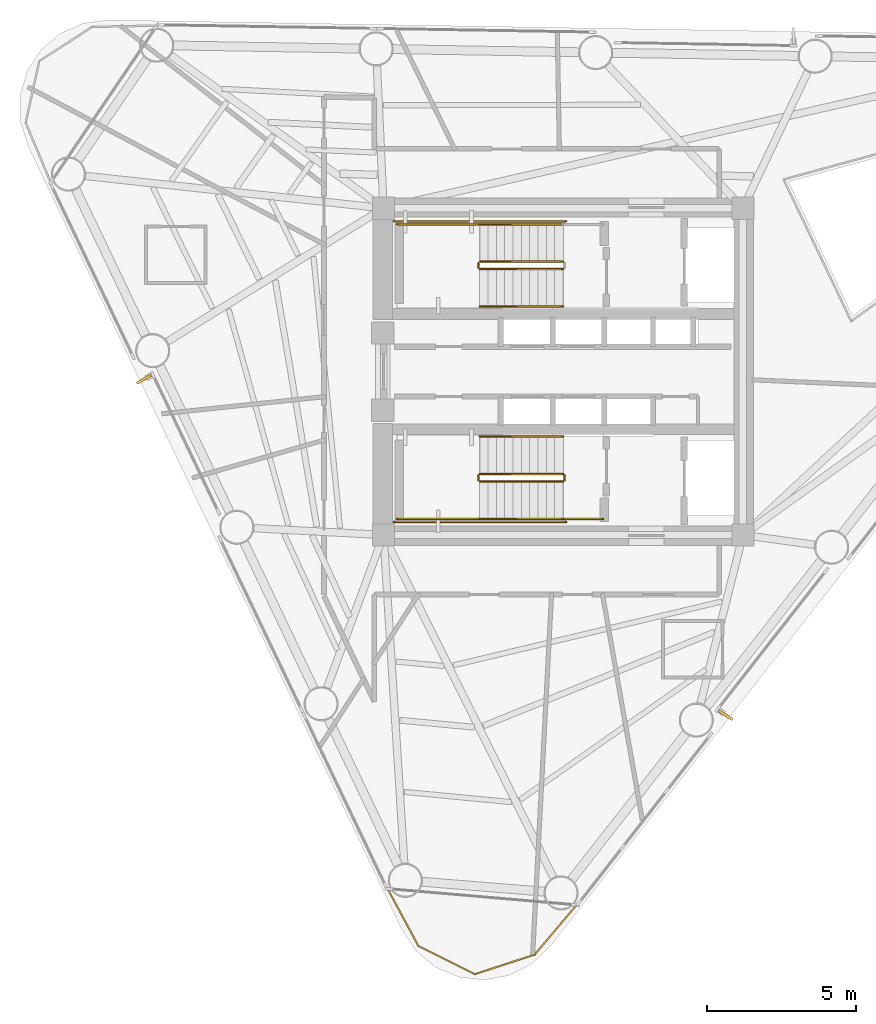
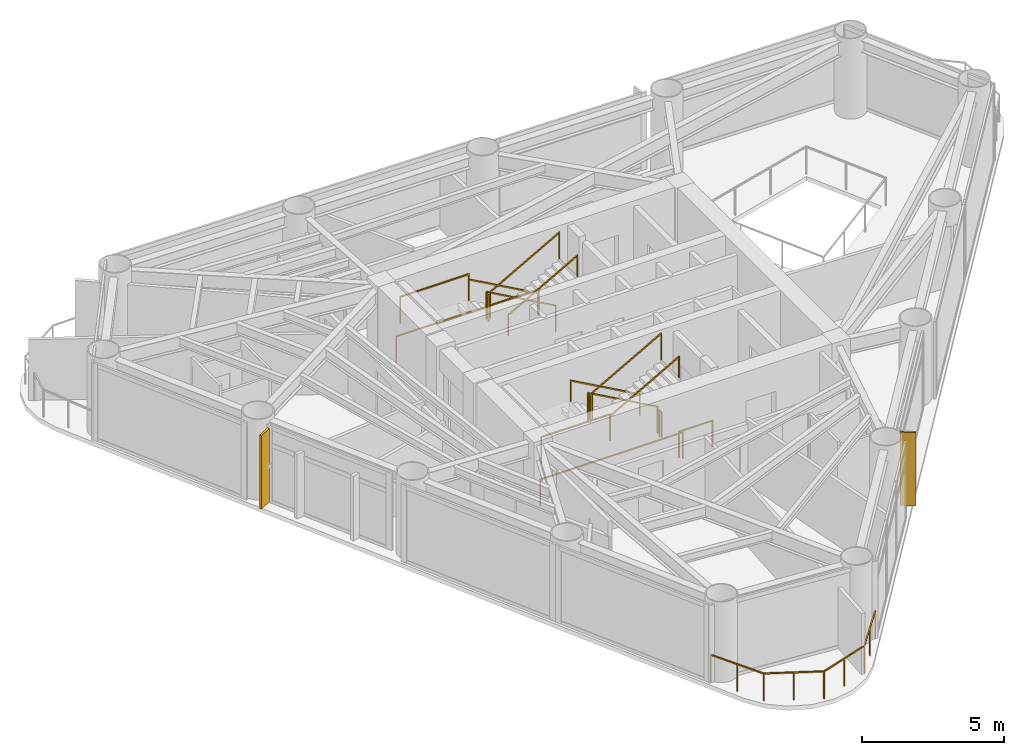
# One storey, part 7 of 9: 17 railings, 2 shading devices.
"""IFC4 building model written with IfcOpenShell, lengths in metres."""

from ifc_helpers import new_model, si_unit, direction, frame, origin, origin_2d, place, context, subcontext, project, spatial, rectangle, extrude, source, transform, mapped, material, material_profile, profile_set, type_object, element, save


model = new_model("IFC4")

# Units and contexts
model_context = context("Model", 3, precision=1e-05, world=origin(), true_north=direction((0.0, 1.0)))
body_context = subcontext(model_context, "Body", "Model", "MODEL_VIEW")
ifc_project = project(units=[si_unit("LENGTHUNIT", "METRE"), si_unit("AREAUNIT", "SQUARE_METRE"), si_unit("VOLUMEUNIT", "CUBIC_METRE"), si_unit("PLANEANGLEUNIT", "RADIAN"), si_unit("MASSUNIT", "GRAM", prefix="KILO")], contexts=[model_context])

# Site, building, storey
site_placement = place(None, origin())
site = spatial("IfcSite", under=ifc_project, at=site_placement, CompositionType="ELEMENT")
building_placement = place(site_placement, origin())
building = spatial("IfcBuilding", under=site, at=building_placement, Name="Yunling Apex Tower", CompositionType="ELEMENT")
storey_placement = place(building_placement, frame((0.0, 0.0, 194.89990234375)))
storey = spatial("IfcBuildingStorey", under=building, at=storey_placement, Name="L47", CompositionType="ELEMENT", Elevation=194.89990234375)

# Railings
ifc_material_1 = material(Name="Bronze anodised aluminium", Category="aluminium")
railing_type_1 = type_object("IfcRailingType", Name="RL-BAL-1200", PredefinedType="BALUSTRADE", material=ifc_material_1)
railing_1_placement = place(storey_placement, frame((0.4462890625, -17.9599609375, 0.0)))
element("IfcRailing", 1, at=railing_1_placement, inside=storey, type_object=railing_type_1, Name="RL-CRNSILL-L47-3", PredefinedType="BALUSTRADE", context=body_context, shape_type="SweptSolid", body=[
    extrude(rectangle(XDim=0.0439453125, YDim=0.0439453125, at=origin_2d()), origin(), (0.0, 0.0, 1.0), 1.199951171875),
    extrude(rectangle(XDim=0.0439453125, YDim=0.0439453125, at=origin_2d()), frame((-1.408447265625, -1.669189453125, 0.0)), (0.0, 0.0, 1.0), 1.199951171875),
    extrude(rectangle(XDim=0.050048828125, YDim=0.050048828125, at=origin_2d()), frame((-0.024658203125, -0.029296875, 1.1748046875), z_axis=(-0.644889304204, -0.764275987666, 0.0), x_axis=(0.764275987666, -0.644889304204, 0.0)), (0.0, 0.0, 1.0), 2.107421875),
    extrude(rectangle(XDim=0.0439453125, YDim=0.0439453125, at=origin_2d()), frame((-0.7041015625, -0.83447265625, 0.0)), (0.0, 0.0, 1.0), 1.14599609375),
    extrude(rectangle(XDim=0.0439453125, YDim=0.0439453125, at=origin_2d()), frame((-3.421875, -2.326416015625, 0.0)), (0.0, 0.0, 1.0), 1.199951171875),
    extrude(rectangle(XDim=0.050048828125, YDim=0.050048828125, at=origin_2d()), frame((-1.44482421875, -1.68115234375, 1.1748046875), z_axis=(-0.950635994022, -0.310308244926, 0.0), x_axis=(0.310308244926, -0.950635994022, 0.0)), (0.0, 0.0, 1.0), 2.041259765625),
    extrude(rectangle(XDim=0.0439453125, YDim=0.0439453125, at=origin_2d()), frame((-2.4150390625, -1.997802734375, 0.0)), (0.0, 0.0, 1.0), 1.14599609375),
    extrude(rectangle(XDim=0.0439453125, YDim=0.0439453125, at=origin_2d()), frame((-5.32275390625, -1.376708984375, 0.0)), (0.0, 0.0, 1.0), 1.199951171875),
    extrude(rectangle(XDim=0.050048828125, YDim=0.050048828125, at=origin_2d()), frame((-3.4560546875, -2.309326171875, 1.1748046875), z_axis=(-0.894565021347, 0.446937828543, 0.0), x_axis=(-0.446937828543, -0.894565021347, 0.0)), (0.0, 0.0, 1.0), 2.04833984375),
    extrude(rectangle(XDim=0.0439453125, YDim=0.0439453125, at=origin_2d()), frame((-4.372314453125, -1.8515625, 0.0)), (0.0, 0.0, 1.0), 1.14599609375),
    extrude(rectangle(XDim=0.0439453125, YDim=0.0439453125, at=origin_2d()), frame((-6.35791015625, 0.545654296875, 0.0)), (0.0, 0.0, 1.0), 1.199951171875),
    extrude(rectangle(XDim=0.050048828125, YDim=0.050048828125, at=origin_2d()), frame((-5.3408203125, -1.343017578125, 1.1748046875), z_axis=(-0.474113159208, 0.880463918775, 0.0), x_axis=(-0.880463918775, -0.474113159208, 0.0)), (0.0, 0.0, 1.0), 2.106689453125),
    extrude(rectangle(XDim=0.0439453125, YDim=0.0439453125, at=origin_2d()), frame((-5.84033203125, -0.41552734375, 0.0)), (0.0, 0.0, 1.0), 1.14599609375),
])
ifc_material_2 = material(Name="Steel Q355B", Category="steel")
railing_type_2 = type_object("IfcRailingType", Name="RL-GRD-1150", PredefinedType="GUARDRAIL", material=ifc_material_2)
railing_2_placement = place(storey_placement, frame((-0.010009765625, 3.699951171875, 0.156982421875)))
element("IfcRailing", 2, at=railing_2_placement, inside=storey, type_object=railing_type_2, Name="L47 ST-1 stair guard 1", PredefinedType="GUARDRAIL", context=body_context, shape_type="SweptSolid", body=[
    extrude(rectangle(XDim=0.0439453125, YDim=0.0439453125, at=origin_2d()), origin(), (0.0, 0.0, 1.0), 1.14990234375),
    extrude(rectangle(XDim=0.0439453125, YDim=0.0439453125, at=origin_2d()), frame((-2.800048828125, 0.0, 1.568115234375)), (0.0, 0.0, 1.0), 1.14990234375),
    extrude(rectangle(XDim=0.050048828125, YDim=0.050048828125, at=origin_2d()), frame((-0.033447265625, 0.0, 1.1435546875), z_axis=(-0.872494340497, 0.0, 0.48862421737), x_axis=(0.0, -1.0, 0.0)), (0.0, 0.0, 1.0), 3.132568359375),
])
railing_3_placement = place(storey_placement, frame((-2.860107421875, 3.64990234375, 1.72509765625)))
element("IfcRailing", 3, at=railing_3_placement, inside=storey, type_object=railing_type_2, Name="L47 ST-1 stair guard 2", PredefinedType="GUARDRAIL", context=body_context, shape_type="SweptSolid", body=[
    extrude(rectangle(XDim=0.0439453125, YDim=0.0439453125, at=origin_2d()), origin(), (0.0, 0.0, 1.0), 1.14990234375),
    extrude(rectangle(XDim=0.0439453125, YDim=0.0439453125, at=origin_2d()), frame((0.0, -0.14990234375, 0.0)), (0.0, 0.0, 1.0), 1.14990234375),
    extrude(rectangle(XDim=0.050048828125, YDim=0.050048828125, at=origin_2d()), frame((0.0, -0.038330078125, 1.125), z_axis=(0.0, -1.0, 0.0), x_axis=(1.0, 0.0, 0.0)), (0.0, 0.0, 1.0), 0.0732421875),
])
railing_4_placement = place(storey_placement, frame((-2.81005859375, 4.9599609375, 1.72509765625)))
element("IfcRailing", 4, at=railing_4_placement, inside=storey, type_object=railing_type_2, Name="L47 ST-1 stair guard 3", PredefinedType="GUARDRAIL", context=body_context, shape_type="SweptSolid", body=[
    extrude(rectangle(XDim=0.0439453125, YDim=0.0439453125, at=origin_2d()), origin(), (0.0, 0.0, 1.0), 1.14990234375),
    extrude(rectangle(XDim=0.0439453125, YDim=0.0439453125, at=origin_2d()), frame((-2.7900390625, 0.0, 0.0)), (0.0, 0.0, 1.0), 1.14990234375),
    extrude(rectangle(XDim=0.050048828125, YDim=0.050048828125, at=origin_2d()), frame((-0.038330078125, 0.0, 1.125), z_axis=(-1.0, 0.0, 0.0), x_axis=(0.0, -1.0, 0.0)), (0.0, 0.0, 1.0), 2.71337890625),
])
railing_5_placement = place(storey_placement, frame((-2.81005859375, 3.449951171875, 1.8818359375)))
element("IfcRailing", 5, at=railing_5_placement, inside=storey, type_object=railing_type_2, Name="L47 ST-1 stair guard 4", PredefinedType="GUARDRAIL", context=body_context, shape_type="SweptSolid", body=[
    extrude(rectangle(XDim=0.0439453125, YDim=0.0439453125, at=origin_2d()), origin(), (0.0, 0.0, 1.0), 1.14990234375),
    extrude(rectangle(XDim=0.0439453125, YDim=0.0439453125, at=origin_2d()), frame((2.800048828125, 0.0, 1.568359375)), (0.0, 0.0, 1.0), 1.14990234375),
    extrude(rectangle(XDim=0.050048828125, YDim=0.050048828125, at=origin_2d()), frame((0.033447265625, 0.0, 1.1435546875), z_axis=(0.872461907711, 0.0, 0.488682125306), x_axis=(0.0, 1.0, 0.0)), (0.0, 0.0, 1.0), 3.1328125),
])
railing_6_placement = place(storey_placement, frame((0.090087890625, 5.06005859375, 0.0)))
element("IfcRailing", 6, at=railing_6_placement, inside=storey, type_object=railing_type_2, Name="L47 ST-1 stair guard 7", PredefinedType="GUARDRAIL", context=body_context, shape_type="SweptSolid", body=[
    extrude(rectangle(XDim=0.0439453125, YDim=0.0439453125, at=origin_2d()), origin(), (0.0, 0.0, 1.0), 1.14990234375),
    extrude(rectangle(XDim=0.0439453125, YDim=0.0439453125, at=origin_2d()), frame((-5.7900390625, 0.0, 0.0)), (0.0, 0.0, 1.0), 1.14990234375),
    extrude(rectangle(XDim=0.050048828125, YDim=0.050048828125, at=origin_2d()), frame((-0.038330078125, 0.0, 1.125), z_axis=(-1.0, 0.0, 0.0), x_axis=(0.0, -1.0, 0.0)), (0.0, 0.0, 1.0), 5.71337890625),
])
railing_7_placement = place(storey_placement, frame((-0.010009765625, -3.449951171875, 0.156982421875)))
element("IfcRailing", 7, at=railing_7_placement, inside=storey, type_object=railing_type_2, Name="L47 ST-2 stair guard 1", PredefinedType="GUARDRAIL", context=body_context, shape_type="SweptSolid", body=[
    extrude(rectangle(XDim=0.0439453125, YDim=0.0439453125, at=origin_2d()), origin(), (0.0, 0.0, 1.0), 1.14990234375),
    extrude(rectangle(XDim=0.0439453125, YDim=0.0439453125, at=origin_2d()), frame((-2.800048828125, 0.0, 1.568115234375)), (0.0, 0.0, 1.0), 1.14990234375),
    extrude(rectangle(XDim=0.050048828125, YDim=0.050048828125, at=origin_2d()), frame((-0.033447265625, 0.0, 1.1435546875), z_axis=(-0.872494340497, 0.0, 0.48862421737), x_axis=(0.0, -1.0, 0.0)), (0.0, 0.0, 1.0), 3.132568359375),
])
railing_8_placement = place(storey_placement, frame((-2.860107421875, -3.5, 1.72509765625)))
element("IfcRailing", 8, at=railing_8_placement, inside=storey, type_object=railing_type_2, Name="L47 ST-2 stair guard 2", PredefinedType="GUARDRAIL", context=body_context, shape_type="SweptSolid", body=[
    extrude(rectangle(XDim=0.0439453125, YDim=0.0439453125, at=origin_2d()), origin(), (0.0, 0.0, 1.0), 1.14990234375),
    extrude(rectangle(XDim=0.0439453125, YDim=0.0439453125, at=origin_2d()), frame((0.0, -0.14990234375, 0.0)), (0.0, 0.0, 1.0), 1.14990234375),
    extrude(rectangle(XDim=0.050048828125, YDim=0.050048828125, at=origin_2d()), frame((0.0, -0.038330078125, 1.125), z_axis=(0.0, -1.0, 0.0), x_axis=(1.0, 0.0, 0.0)), (0.0, 0.0, 1.0), 0.0732421875),
])
railing_9_placement = place(storey_placement, frame((-2.81005859375, -4.9599609375, 1.72509765625)))
element("IfcRailing", 9, at=railing_9_placement, inside=storey, type_object=railing_type_2, Name="L47 ST-2 stair guard 3", PredefinedType="GUARDRAIL", context=body_context, shape_type="SweptSolid", body=[
    extrude(rectangle(XDim=0.0439453125, YDim=0.0439453125, at=origin_2d()), origin(), (0.0, 0.0, 1.0), 1.14990234375),
    extrude(rectangle(XDim=0.0439453125, YDim=0.0439453125, at=origin_2d()), frame((-2.7900390625, 0.0, 0.0)), (0.0, 0.0, 1.0), 1.14990234375),
    extrude(rectangle(XDim=0.050048828125, YDim=0.050048828125, at=origin_2d()), frame((-0.038330078125, 0.0, 1.125), z_axis=(-1.0, 0.0, 0.0), x_axis=(0.0, -1.0, 0.0)), (0.0, 0.0, 1.0), 2.71337890625),
])
railing_10_placement = place(storey_placement, frame((-2.81005859375, -3.699951171875, 1.8818359375)))
element("IfcRailing", 10, at=railing_10_placement, inside=storey, type_object=railing_type_2, Name="L47 ST-2 stair guard 4", PredefinedType="GUARDRAIL", context=body_context, shape_type="SweptSolid", body=[
    extrude(rectangle(XDim=0.0439453125, YDim=0.0439453125, at=origin_2d()), origin(), (0.0, 0.0, 1.0), 1.14990234375),
    extrude(rectangle(XDim=0.0439453125, YDim=0.0439453125, at=origin_2d()), frame((2.800048828125, 0.0, 1.568359375)), (0.0, 0.0, 1.0), 1.14990234375),
    extrude(rectangle(XDim=0.050048828125, YDim=0.050048828125, at=origin_2d()), frame((0.033447265625, 0.0, 1.1435546875), z_axis=(0.872461907711, 0.0, 0.488682125306), x_axis=(0.0, 1.0, 0.0)), (0.0, 0.0, 1.0), 3.1328125),
])
railing_11_placement = place(storey_placement, frame((0.0400390625, -3.5, 0.0)))
element("IfcRailing", 11, at=railing_11_placement, inside=storey, type_object=railing_type_2, Name="L47 ST-2 stair guard 5", PredefinedType="GUARDRAIL", context=body_context, shape_type="SweptSolid", body=[
    extrude(rectangle(XDim=0.0439453125, YDim=0.0439453125, at=origin_2d()), origin(), (0.0, 0.0, 1.0), 1.14990234375),
    extrude(rectangle(XDim=0.0439453125, YDim=0.0439453125, at=origin_2d()), frame((0.0, -0.14990234375, 0.0)), (0.0, 0.0, 1.0), 1.14990234375),
    extrude(rectangle(XDim=0.050048828125, YDim=0.050048828125, at=origin_2d()), frame((0.0, -0.038330078125, 1.125), z_axis=(0.0, -1.0, 0.0), x_axis=(1.0, 0.0, 0.0)), (0.0, 0.0, 1.0), 0.0732421875),
])
railing_12_placement = place(storey_placement, frame((1.35009765625, -4.9599609375, 0.0)))
element("IfcRailing", 12, at=railing_12_placement, inside=storey, type_object=railing_type_2, Name="L47 ST-2 stair guard 6", PredefinedType="GUARDRAIL", context=body_context, shape_type="SweptSolid", body=[
    extrude(rectangle(XDim=0.0439453125, YDim=0.0439453125, at=origin_2d()), origin(), (0.0, 0.0, 1.0), 1.14990234375),
    extrude(rectangle(XDim=0.0439453125, YDim=0.0439453125, at=origin_2d()), frame((-1.360107421875, 0.0, 0.0)), (0.0, 0.0, 1.0), 1.14990234375),
    extrude(rectangle(XDim=0.050048828125, YDim=0.050048828125, at=origin_2d()), frame((-0.038330078125, 0.0, 1.125), z_axis=(-1.0, 0.0, 0.0), x_axis=(0.0, -1.0, 0.0)), (0.0, 0.0, 1.0), 1.283447265625),
])
railing_13_placement = place(storey_placement, frame((0.090087890625, -5.06005859375, 0.0)))
element("IfcRailing", 13, at=railing_13_placement, inside=storey, type_object=railing_type_2, Name="L47 ST-2 stair guard 7", PredefinedType="GUARDRAIL", context=body_context, shape_type="SweptSolid", body=[
    extrude(rectangle(XDim=0.0439453125, YDim=0.0439453125, at=origin_2d()), origin(), (0.0, 0.0, 1.0), 1.14990234375),
    extrude(rectangle(XDim=0.0439453125, YDim=0.0439453125, at=origin_2d()), frame((-5.7900390625, 0.0, 0.0)), (0.0, 0.0, 1.0), 1.14990234375),
    extrude(rectangle(XDim=0.050048828125, YDim=0.050048828125, at=origin_2d()), frame((-0.038330078125, 0.0, 1.125), z_axis=(-1.0, 0.0, 0.0), x_axis=(0.0, -1.0, 0.0)), (0.0, 0.0, 1.0), 5.71337890625),
])
ifc_material_3 = material(Name="Silver anodised aluminium", Category="aluminium")
railing_type_3 = type_object("IfcRailingType", Name="RL-HND-900", PredefinedType="HANDRAIL", material=ifc_material_3)
railing_14_placement = place(storey_placement, frame((-0.010009765625, 4.9599609375, 0.156982421875)))
element("IfcRailing", 14, at=railing_14_placement, inside=storey, type_object=railing_type_3, Name="L47 ST-1 stair handrail 1", PredefinedType="HANDRAIL", context=body_context, shape_type="SweptSolid", body=[
    extrude(rectangle(XDim=0.0439453125, YDim=0.0439453125, at=origin_2d()), origin(), (0.0, 0.0, 1.0), 0.919921875),
    extrude(rectangle(XDim=0.0439453125, YDim=0.0439453125, at=origin_2d()), frame((-2.800048828125, 0.0, 1.568115234375)), (0.0, 0.0, 1.0), 0.919921875),
    extrude(rectangle(XDim=0.050048828125, YDim=0.050048828125, at=origin_2d()), frame((-0.033447265625, 0.0, 0.91357421875), z_axis=(-0.872494340497, 0.0, 0.48862421737), x_axis=(0.0, -1.0, 0.0)), (0.0, 0.0, 1.0), 3.132568359375),
])
railing_15_placement = place(storey_placement, frame((-2.81005859375, 2.18994140625, 1.8818359375)))
element("IfcRailing", 15, at=railing_15_placement, inside=storey, type_object=railing_type_3, Name="L47 ST-1 stair handrail 2", PredefinedType="HANDRAIL", context=body_context, shape_type="SweptSolid", body=[
    extrude(rectangle(XDim=0.0439453125, YDim=0.0439453125, at=origin_2d()), origin(), (0.0, 0.0, 1.0), 0.919921875),
    extrude(rectangle(XDim=0.0439453125, YDim=0.0439453125, at=origin_2d()), frame((2.800048828125, 0.0, 1.568359375)), (0.0, 0.0, 1.0), 0.919921875),
    extrude(rectangle(XDim=0.050048828125, YDim=0.050048828125, at=origin_2d()), frame((0.033447265625, 0.0, 0.91357421875), z_axis=(0.872461907711, 0.0, 0.488682125306), x_axis=(0.0, 1.0, 0.0)), (0.0, 0.0, 1.0), 3.1328125),
])
railing_16_placement = place(storey_placement, frame((-0.010009765625, -2.18994140625, 0.156982421875)))
element("IfcRailing", 16, at=railing_16_placement, inside=storey, type_object=railing_type_3, Name="L47 ST-2 stair handrail 1", PredefinedType="HANDRAIL", context=body_context, shape_type="SweptSolid", body=[
    extrude(rectangle(XDim=0.0439453125, YDim=0.0439453125, at=origin_2d()), origin(), (0.0, 0.0, 1.0), 0.919921875),
    extrude(rectangle(XDim=0.0439453125, YDim=0.0439453125, at=origin_2d()), frame((-2.800048828125, 0.0, 1.568115234375)), (0.0, 0.0, 1.0), 0.919921875),
    extrude(rectangle(XDim=0.050048828125, YDim=0.050048828125, at=origin_2d()), frame((-0.033447265625, 0.0, 0.91357421875), z_axis=(-0.872494340497, 0.0, 0.48862421737), x_axis=(0.0, -1.0, 0.0)), (0.0, 0.0, 1.0), 3.132568359375),
])
railing_17_placement = place(storey_placement, frame((-2.81005859375, -4.9599609375, 1.8818359375)))
element("IfcRailing", 17, at=railing_17_placement, inside=storey, type_object=railing_type_3, Name="L47 ST-2 stair handrail 2", PredefinedType="HANDRAIL", context=body_context, shape_type="SweptSolid", body=[
    extrude(rectangle(XDim=0.0439453125, YDim=0.0439453125, at=origin_2d()), origin(), (0.0, 0.0, 1.0), 0.919921875),
    extrude(rectangle(XDim=0.0439453125, YDim=0.0439453125, at=origin_2d()), frame((2.800048828125, 0.0, 1.568359375)), (0.0, 0.0, 1.0), 0.919921875),
    extrude(rectangle(XDim=0.050048828125, YDim=0.050048828125, at=origin_2d()), frame((0.033447265625, 0.0, 0.91357421875), z_axis=(0.872461907711, 0.0, 0.488682125306), x_axis=(0.0, 1.0, 0.0)), (0.0, 0.0, 1.0), 3.1328125),
])

# Shading devices
ifc_material_profile = material_profile(ifc_material_1, rectangle(XDim=0.0849609375, YDim=0.550048828125, at=origin_2d()))
ifc_profile_set = profile_set([ifc_material_profile], Name="Bronze anodised aluminium")
shading_device_type = type_object("IfcShadingDeviceType", Name="FN-BRZ-3", PredefinedType="USERDEFINED", material=ifc_profile_set)
shared_shape = source(origin(), body_context, "Body", "SweptSolid", [
    extrude(rectangle(XDim=0.0849609375, YDim=0.550048828125, at=origin_2d()), origin(), (0.0, 0.0, 1.0), 3.14990234375),
])
for number, where, z_axis, x_axis, name in (
    (18, (5.468505859375, -11.565185546875, 0.06005859375), (0.0, 0.0, 1.0), (0.563381859003, 0.826196635763, 0.0), "CW-L47-F1-B2-FIN-01"),
    (19, (-14.113037109375, -0.254150390625, 0.06005859375), (0.0, 0.0, 1.0), (0.488621241497, -0.872496007073, 0.0), "CW-L47-F3-B2-FIN-01"),
):
    element("IfcShadingDevice", number, at=place(storey_placement, frame(where, z_axis=z_axis, x_axis=x_axis)), inside=storey, type_object=shading_device_type, Name=name, ObjectType="FIN", PredefinedType="USERDEFINED", context=body_context, shape_type="MappedRepresentation", body=[
        mapped(shared_shape, transform((0.0, 0.0, 0.0), scale=1.0)),
    ])

save(model, "model.ifc")
